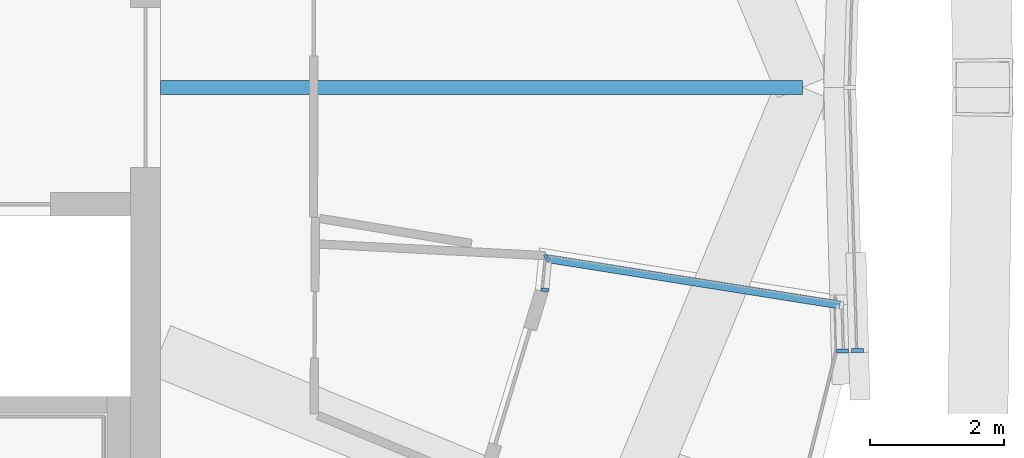
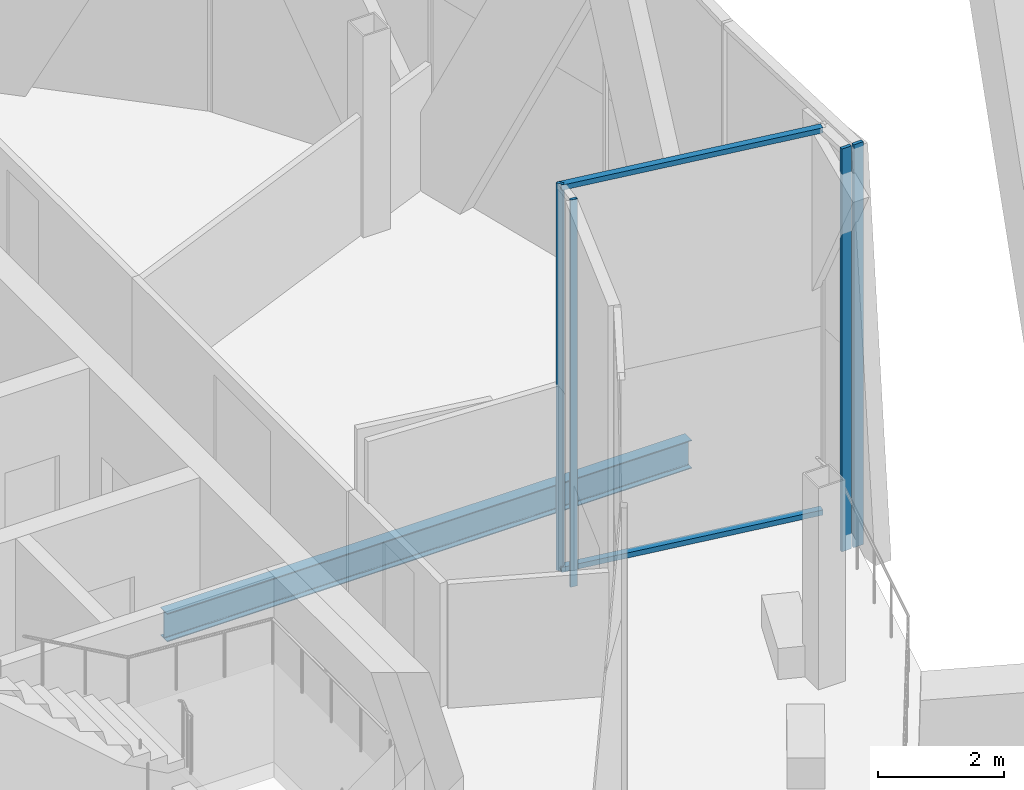
# One storey, part 13 of 53: 6 members, 1 beam, 3 elements without a shape of their own.
"""IFC4 building model written with IfcOpenShell, lengths in metres."""

from ifc_helpers import new_model, si_unit, direction, frame, origin, origin_2d, place, context, subcontext, project, spatial, rectangle, i_section, extrude, material, material_profile, profile_set, type_object, element, aggregate, save


model = new_model("IFC4")

# Units and contexts
model_context = context("Model", 3, precision=1e-05, world=origin(), true_north=direction((0.0, 1.0)))
body_context = subcontext(model_context, "Body", "Model", "MODEL_VIEW")
ifc_project = project(units=[si_unit("LENGTHUNIT", "METRE"), si_unit("AREAUNIT", "SQUARE_METRE"), si_unit("VOLUMEUNIT", "CUBIC_METRE"), si_unit("PLANEANGLEUNIT", "RADIAN"), si_unit("MASSUNIT", "GRAM", prefix="KILO")], contexts=[model_context])

# Site, building, storey
site_placement = place(None, origin())
site = spatial("IfcSite", under=ifc_project, at=site_placement, CompositionType="ELEMENT")
building_placement = place(site_placement, origin())
building = spatial("IfcBuilding", under=site, at=building_placement, Name="Ogive Gate Towers", CompositionType="ELEMENT")
storey_placement = place(building_placement, frame((0.0, 0.0, 240.60009765625)))
storey = spatial("IfcBuildingStorey", under=building, at=storey_placement, Name="L57", CompositionType="ELEMENT", Elevation=240.60009765625)

# Beam
ifc_material_1 = material(Name="Steel SM355", Category="steel")
ifc_material_profile_1 = material_profile(ifc_material_1, i_section(OverallWidth=0.2099609375, OverallDepth=0.550048828125, WebThickness=0.010986328125, FlangeThickness=0.01708984375, FilletRadius=0.02392578125, at=origin_2d()), Name="IPE 550")
ifc_profile_set_1 = profile_set([ifc_material_profile_1], Name="Steel SM355")
beam_type = type_object("IfcBeamType", Name="Radial floor beam IPE 550", PredefinedType="BEAM", material=ifc_profile_set_1)
beam_placement = place(storey_placement, frame((-26.5, 0.0, -0.5751953125), z_axis=(1.0, 0.0, 0.0), x_axis=(0.0, 1.0, 0.0)))
element("IfcBeam", 1, at=beam_placement, inside=storey, type_object=beam_type, Name="T1/L57/SBM007", PredefinedType="BEAM", context=body_context, shape_type="SweptSolid", body=[
    extrude(i_section(OverallWidth=0.2099609375, OverallDepth=0.550048828125, WebThickness=0.010986328125, FlangeThickness=0.01708984375, FilletRadius=0.02392578125, at=origin_2d()), origin(), (0.0, 0.0, 1.0), 9.610107421875),
])

# Curtain wall, members
ifc_material_2 = material(Name="Pale metal aluminium", Category="aluminium")
curtain_wall_type_1 = type_object("IfcCurtainWallType", Name="Sky garden glazing", PredefinedType="NOTDEFINED", material=ifc_material_2)
curtain_wall_1_placement = place(storey_placement, origin())
curtain_wall_1 = element("IfcCurtainWall", 2, at=curtain_wall_1_placement, inside=storey, type_object=curtain_wall_type_1, Name="CW4 T1 ECW02", PredefinedType="NOTDEFINED")
ifc_material_profile_2 = material_profile(ifc_material_2, rectangle(XDim=0.1201171875, YDim=0.050048828125, at=origin_2d()), Name="50 x 120 aluminium box")
ifc_profile_set_2 = profile_set([ifc_material_profile_2], Name="Pale metal aluminium")
member_type_1 = type_object("IfcMemberType", Name="Sky garden glazing mullion 50 x 120", PredefinedType="MULLION", material=ifc_profile_set_2)
member_1_placement = place(storey_placement, frame((-20.713134765625, -2.55029296875, 0.0), z_axis=(0.0, 0.0, 1.0), x_axis=(-0.61140274754, 0.791319581649, 0.0)))
member_1 = element("IfcMember", 3, at=member_1_placement, type_object=member_type_1, Name="CW4 mullion", PredefinedType="MULLION", context=body_context, shape_type="SweptSolid", body=[
    extrude(rectangle(XDim=0.1201171875, YDim=0.050048828125, at=origin_2d()), origin(), (0.0, 0.0, 1.0), 7.5),
])
member_2_placement = place(storey_placement, frame((-20.747802734375, -3.02978515625, 0.0), z_axis=(0.0, 0.0, 1.0), x_axis=(-0.995196694298, 0.097895554847, 0.0)))
member_2 = element("IfcMember", 4, at=member_2_placement, type_object=member_type_1, Name="CW4 mullion", PredefinedType="MULLION", context=body_context, shape_type="SweptSolid", body=[
    extrude(rectangle(XDim=0.1201171875, YDim=0.050048828125, at=origin_2d()), origin(), (0.0, 0.0, 1.0), 7.5),
])
ifc_material_profile_3 = material_profile(ifc_material_2, rectangle(XDim=0.1201171875, YDim=0.10009765625, at=origin_2d()), Name="100 x 120 aluminium box")
ifc_profile_set_3 = profile_set([ifc_material_profile_3], Name="Pale metal aluminium")
member_type_2 = type_object("IfcMemberType", Name="Sky garden glazing transom 100 x 120", PredefinedType="USERDEFINED", material=ifc_profile_set_3)
member_3_placement = place(storey_placement, frame((-16.32958984375, -3.257080078125, 7.449951171875), z_axis=(-0.987694724467, 0.156394153535, 0.0), x_axis=(-0.156394153535, -0.987694724467, 0.0)))
member_3 = element("IfcMember", 5, at=member_3_placement, type_object=member_type_2, Name="CW4 transom", ObjectType="TRANSOM", PredefinedType="USERDEFINED", context=body_context, shape_type="SweptSolid", body=[
    extrude(rectangle(XDim=0.1201171875, YDim=0.10009765625, at=origin_2d()), origin(), (0.0, 0.0, 1.0), 4.4443359375),
])
member_4_placement = place(storey_placement, frame((-16.32958984375, -3.257080078125, 0.0498046875), z_axis=(-0.987694724467, 0.156394153535, 0.0), x_axis=(-0.156394153535, -0.987694724467, 0.0)))
member_4 = element("IfcMember", 6, at=member_4_placement, type_object=member_type_2, Name="CW4 transom", ObjectType="TRANSOM", PredefinedType="USERDEFINED", context=body_context, shape_type="SweptSolid", body=[
    extrude(rectangle(XDim=0.1201171875, YDim=0.10009765625, at=origin_2d()), origin(), (0.0, 0.0, 1.0), 4.4443359375),
])
aggregate(curtain_wall_1, [member_1, member_3, member_4, member_2])

# Curtain wall, member
curtain_wall_type_2 = type_object("IfcCurtainWallType", Name="Tower unitised wall, high zone", PredefinedType="NOTDEFINED", material=ifc_material_2)
curtain_wall_2_placement = place(storey_placement, origin())
curtain_wall_2 = element("IfcCurtainWall", 7, at=curtain_wall_2_placement, inside=storey, type_object=curtain_wall_type_2, Name="CW2 T1 ECW10", PredefinedType="NOTDEFINED")
ifc_material_profile_4 = material_profile(ifc_material_2, rectangle(XDim=0.179931640625, YDim=0.06005859375, at=origin_2d()), Name="60 x 180 aluminium box")
ifc_profile_set_4 = profile_set([ifc_material_profile_4], Name="Pale metal aluminium")
member_type_3 = type_object("IfcMemberType", Name="Tower unitised wall, high zone mullion 60 x 180", PredefinedType="MULLION", material=ifc_profile_set_4)
member_5_placement = place(storey_placement, frame((-16.068359375, -3.939697265625, -0.300048828125), z_axis=(0.0, 0.0, 1.0), x_axis=(-0.999598826037, -0.028322905681, 0.0)))
member_5 = element("IfcMember", 8, at=member_5_placement, type_object=member_type_3, Name="CW2 mullion", PredefinedType="MULLION", context=body_context, shape_type="SweptSolid", body=[
    extrude(rectangle(XDim=0.179931640625, YDim=0.06005859375, at=origin_2d()), origin(), (0.0, 0.0, 1.0), 7.800048828125),
])
aggregate(curtain_wall_2, [member_5])

curtain_wall_3_placement = place(storey_placement, origin())
curtain_wall_3 = element("IfcCurtainWall", 9, at=curtain_wall_3_placement, inside=storey, type_object=curtain_wall_type_2, Name="CW2 T1 ECW10b", PredefinedType="NOTDEFINED")
member_6_placement = place(storey_placement, frame((-16.288330078125, -3.94580078125, -0.300048828125), z_axis=(0.0, 0.0, 1.0), x_axis=(0.999599320212, 0.028305459386, 0.0)))
member_6 = element("IfcMember", 10, at=member_6_placement, type_object=member_type_3, Name="CW2 mullion", PredefinedType="MULLION", context=body_context, shape_type="SweptSolid", body=[
    extrude(rectangle(XDim=0.179931640625, YDim=0.06005859375, at=origin_2d()), origin(), (0.0, 0.0, 1.0), 7.800048828125),
])
aggregate(curtain_wall_3, [member_6])

save(model, "model.ifc")
